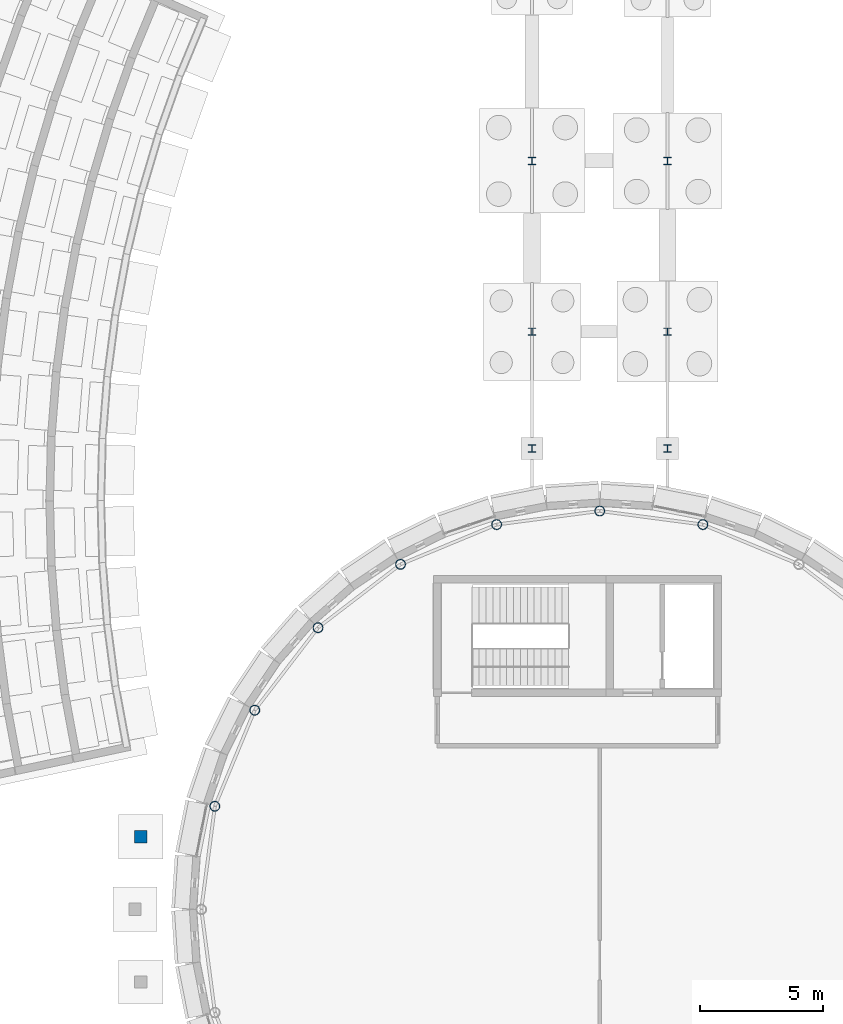
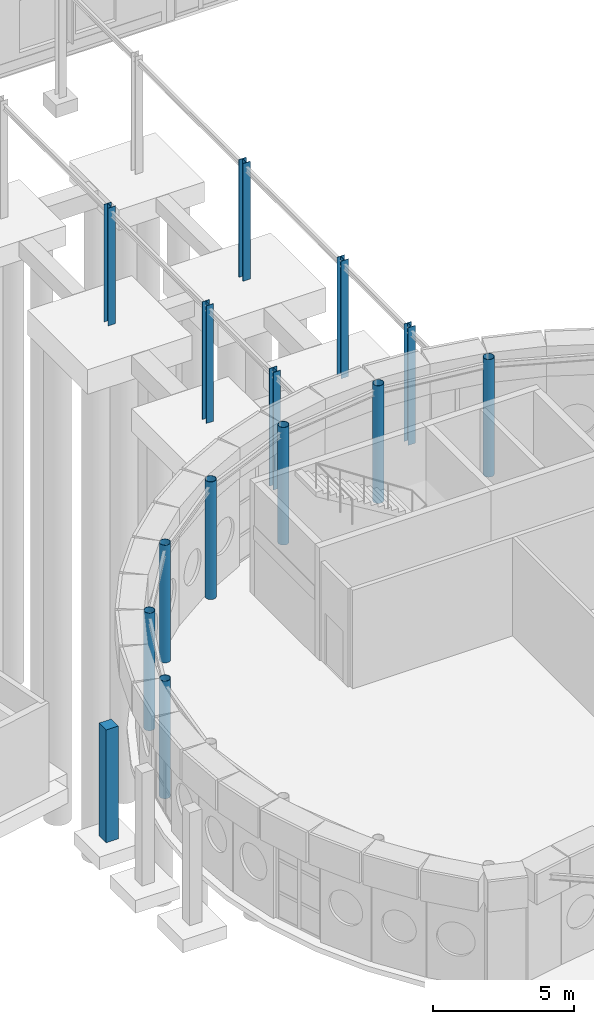
# One storey, part 11 of 109: 14 columns.
"""IFC4 building model written with IfcOpenShell, lengths in metres."""

from ifc_helpers import new_model, si_unit, direction, frame, origin, origin_2d, place, context, subcontext, project, spatial, rectangle, hollow_circle, i_section, extrude, material, material_profile, profile_set, type_object, element, save


model = new_model("IFC4")

# Units and contexts
model_context = context("Model", 3, precision=1e-05, world=origin(), true_north=direction((0.0, 1.0)))
body_context = subcontext(model_context, "Body", "Model", "MODEL_VIEW")
ifc_project = project(units=[si_unit("LENGTHUNIT", "METRE"), si_unit("AREAUNIT", "SQUARE_METRE"), si_unit("VOLUMEUNIT", "CUBIC_METRE"), si_unit("PLANEANGLEUNIT", "RADIAN"), si_unit("MASSUNIT", "GRAM", prefix="KILO")], contexts=[model_context])

# Site, building, storey
site_placement = place(None, origin())
site = spatial("IfcSite", under=ifc_project, at=site_placement, CompositionType="ELEMENT")
building_placement = place(site_placement, origin())
building = spatial("IfcBuilding", under=site, at=building_placement, Name="Montecoro Central Library", CompositionType="ELEMENT")
storey_placement = place(building_placement, origin())
storey = spatial("IfcBuildingStorey", under=building, at=storey_placement, Name="L00", CompositionType="ELEMENT", Elevation=0.0)

# Columns
ifc_material_1 = material(Name="Steel S355J2", Category="steel")
ifc_material_profile_1 = material_profile(ifc_material_1, hollow_circle(Radius=0.203125, WallThickness=0.01611328125, at=origin_2d()), Name="CHS 406.4x16.0")
ifc_profile_set_1 = profile_set([ifc_material_profile_1], Name="Steel S355J2")
column_type_1 = type_object("IfcColumnType", Name="COL-CHS406", PredefinedType="COLUMN", material=ifc_profile_set_1)
for number, where, z_axis, x_axis, name in (
    (1, (95.7880859375, 51.029052734375, 0.0), (0.0, 0.0, 1.0), (1.0, 0.0, 0.0), "V1-L00-DCOL-06"),
    (2, (91.60009765625, 51.580078125, 0.0), (0.0, 0.0, 1.0), (1.0, 0.0, 0.0), "V1-L00-DCOL-07"),
    (3, (87.412109375, 51.029052734375, 0.0), (0.0, 0.0, 1.0), (1.0, 0.0, 0.0), "V1-L00-DCOL-08"),
    (4, (83.510009765625, 49.412109375, 0.0), (0.0, 0.0, 1.0), (1.0, 0.0, 0.0), "V1-L00-DCOL-09"),
    (5, (80.158935546875, 46.841064453125, 0.0), (0.0, 0.0, 1.0), (1.0, 0.0, 0.0), "V1-L00-DCOL-10"),
    (6, (77.587890625, 43.489990234375, 0.0), (0.0, 0.0, 1.0), (1.0, 0.0, 0.0), "V1-L00-DCOL-11"),
    (7, (75.970947265625, 39.587890625, 0.0), (0.0, 0.0, 1.0), (1.0, 0.0, 0.0), "V1-L00-DCOL-12"),
):
    element("IfcColumn", number, at=place(storey_placement, frame(where, z_axis=z_axis, x_axis=x_axis)), inside=storey, type_object=column_type_1, Name=name, PredefinedType="COLUMN", context=body_context, shape_type="SweptSolid", body=[
        extrude(hollow_circle(Radius=0.203125, WallThickness=0.01611328125, at=origin_2d()), origin(), (0.0, 0.0, 1.0), 5.074951171875),
    ])
ifc_material_2 = material(Name="Steel S355", Category="steel")
ifc_material_profile_2 = material_profile(ifc_material_2, i_section(OverallWidth=0.300048828125, OverallDepth=0.300048828125, WebThickness=0.010986328125, FlangeThickness=0.01904296875, at=origin_2d()), Name="HEB 300")
ifc_profile_set_2 = profile_set([ifc_material_profile_2], Name="Steel S355")
column_type_2 = type_object("IfcColumnType", Name="COL-HEB300", PredefinedType="COLUMN", material=ifc_profile_set_2)
for number, where, z_axis, x_axis, name in (
    (8, (88.85009765625, 54.1201171875, 0.0), (0.0, 0.0, 1.0), (1.0, 0.0, 0.0), "BR-N-L00-COL-888-541"),
    (9, (94.35009765625, 54.1201171875, 0.0), (0.0, 0.0, 1.0), (1.0, 0.0, 0.0), "BR-N-L00-COL-943-541"),
    (10, (88.85009765625, 58.860107421875, 0.0), (0.0, 0.0, 1.0), (1.0, 0.0, 0.0), "BR-N-L00-COL-888-588"),
    (11, (94.35009765625, 58.860107421875, 0.0), (0.0, 0.0, 1.0), (1.0, 0.0, 0.0), "BR-N-L00-COL-943-588"),
    (12, (88.85009765625, 65.800048828125, 0.0), (0.0, 0.0, 1.0), (1.0, 0.0, 0.0), "BR-N-L00-COL-888-658"),
    (13, (94.35009765625, 65.800048828125, 0.0), (0.0, 0.0, 1.0), (1.0, 0.0, 0.0), "BR-N-L00-COL-943-658"),
):
    element("IfcColumn", number, at=place(storey_placement, frame(where, z_axis=z_axis, x_axis=x_axis)), inside=storey, type_object=column_type_2, Name=name, PredefinedType="COLUMN", context=body_context, shape_type="SweptSolid", body=[
        extrude(i_section(OverallWidth=0.300048828125, OverallDepth=0.300048828125, WebThickness=0.010986328125, FlangeThickness=0.01904296875, at=origin_2d()), origin(), (0.0, 0.0, 1.0), 5.074951171875),
    ])
ifc_material_3 = material(Name="Concrete C35/45", Category="concrete")
ifc_material_profile_3 = material_profile(ifc_material_3, rectangle(XDim=0.5, YDim=0.5, at=origin_2d()), Name="RC PIL 500x500")
ifc_profile_set_3 = profile_set([ifc_material_profile_3], Name="Concrete C35/45")
column_type_3 = type_object("IfcColumnType", Name="PIL-RC01", PredefinedType="PILASTER", material=ifc_profile_set_3)
column_placement = place(storey_placement, frame((72.9619140625, 38.35205078125, 0.0), z_axis=(0.0, 0.0, 1.0), x_axis=(1.0, 0.0, 0.0)))
element("IfcColumn", 14, at=column_placement, inside=storey, type_object=column_type_3, Name="V1-WTER-COL-1", PredefinedType="PILASTER", context=body_context, shape_type="SweptSolid", body=[
    extrude(rectangle(XDim=0.5, YDim=0.5, at=origin_2d()), origin(), (0.0, 0.0, 1.0), 4.8701171875),
])

save(model, "model.ifc")
